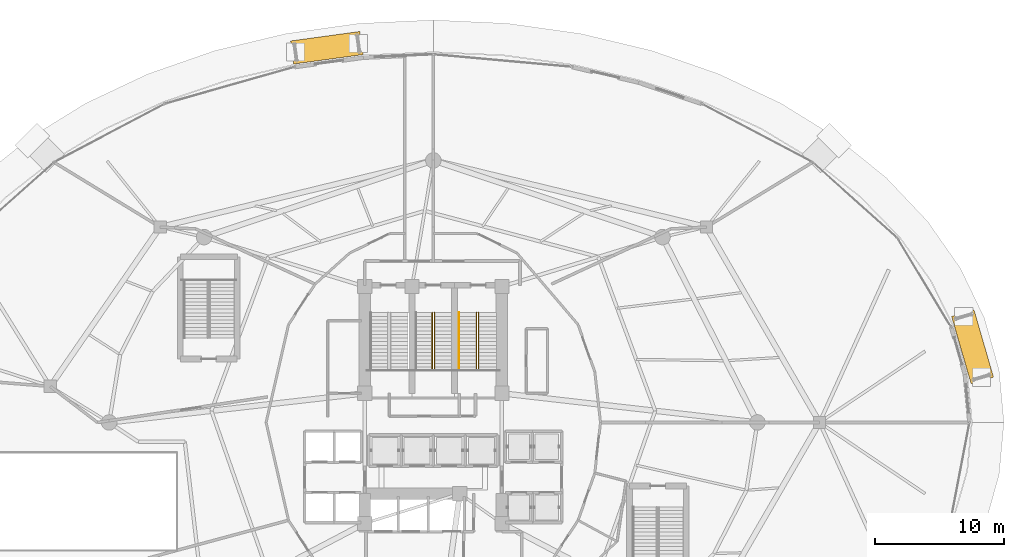
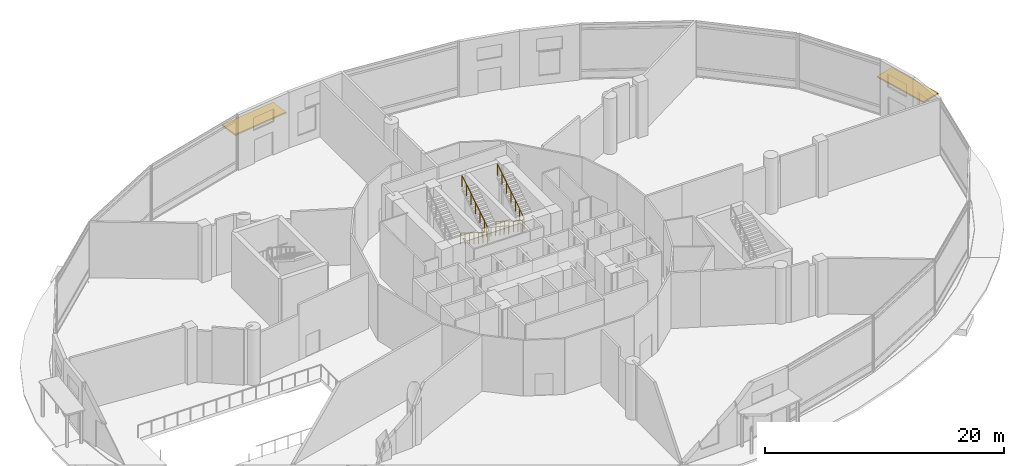
# One storey, part 39 of 40: 3 railings, 2 shading devices.
"""IFC4 building model written with IfcOpenShell, lengths in metres."""

import ifcopenshell
import ifcopenshell.guid

model = None  # the IFC model being written
_history = None  # IfcOwnerHistory: only IFC2X3 demands one
_inside = {}  # id of a spatial element -> (the spatial element, [elements in it])
_under = {}  # id of a project, library or spatial element -> (it, [spatial elements below it])
_declared = {}  # id of a project -> (the project, [libraries it declares])
_typed = {}  # id of a type object -> (the type object, [elements of that type])
_made_of = {}  # id of a material, layer set ... -> (it, [elements and type objects made of it])


def new_model(schema):
    """Start an empty IFC model of exactly this schema.

    Asked for "IFC4X3", IfcOpenShell would pick the latest addendum, in which some entities
    have other attributes; the version numbers below select the first issue.
    IFC2X3 requires an IfcOwnerHistory on every rooted entity: one is made here for all.
    """
    global model, _history
    if schema == "IFC4X3":
        model = ifcopenshell.file(schema_version=(4, 3, 0, 0))
    else:
        model = ifcopenshell.file(schema=schema)
    _inside.clear()
    _under.clear()
    _declared.clear()
    _typed.clear()
    _made_of.clear()
    _history = None
    if model.schema == "IFC2X3":
        org = make("IfcOrganization", Name="unknown")
        user = make(
            "IfcPersonAndOrganization",
            ThePerson=make("IfcPerson", FamilyName="unknown"),
            TheOrganization=org,
        )
        app = make(
            "IfcApplication",
            ApplicationDeveloper=org,
            Version="unknown",
            ApplicationFullName="unknown",
            ApplicationIdentifier="unknown",
        )
        _history = make(
            "IfcOwnerHistory",
            OwningUser=user,
            OwningApplication=app,
            ChangeAction="ADDED",
            CreationDate=0,
        )
    return model


def make(cls, **values):
    """One entity of the class cls with the attributes given. An attribute that is None is left unset."""
    return model.create_entity(
        cls, **{name: value for name, value in values.items() if value is not None}
    )


def rooted(cls, **values):
    """An entity with a GlobalId (a new one), such as an element, a storey or a relation."""
    return make(cls, GlobalId=ifcopenshell.guid.new(), OwnerHistory=_history, **values)


def si_unit(unit_type, name, prefix=None):
    """IfcSIUnit, for example si_unit("LENGTHUNIT", "METRE", prefix="MILLI")."""
    return make("IfcSIUnit", UnitType=unit_type, Prefix=prefix, Name=name)


def assignment(units):
    """IfcUnitAssignment: the units of a project."""
    return None if units is None else make("IfcUnitAssignment", Units=units)


def point(xyz):
    """IfcCartesianPoint."""
    return None if xyz is None else make("IfcCartesianPoint", Coordinates=xyz)


def direction(xyz):
    """IfcDirection."""
    return None if xyz is None else make("IfcDirection", DirectionRatios=xyz)


def frame(location, z_axis=None, x_axis=None):
    """IfcAxis2Placement3D, a coordinate frame: its origin and axes. An axis left out is left unset."""
    return make(
        "IfcAxis2Placement3D",
        Location=point(location),
        Axis=direction(z_axis),
        RefDirection=direction(x_axis),
    )


def frame_2d(location, x_axis=None):
    """IfcAxis2Placement2D, a coordinate frame in the plane: its origin and x axis."""
    return make(
        "IfcAxis2Placement2D", Location=point(location), RefDirection=direction(x_axis)
    )


def origin():
    """The frame at (0, 0, 0) with its axes left unset."""
    return frame((0.0, 0.0, 0.0))


def origin_2d():
    """The frame at (0, 0) in the plane with its x axis left unset."""
    return frame_2d((0.0, 0.0))


def place(relative_to, where):
    """IfcLocalPlacement: puts the frame where relative to a parent placement (None: the world)."""
    return make(
        "IfcLocalPlacement", PlacementRelTo=relative_to, RelativePlacement=where
    )


def context(
    kind, dimensions, precision=None, world=None, true_north=None, identifier=None
):
    """IfcGeometricRepresentationContext, for example the 3D "Model" context."""
    return make(
        "IfcGeometricRepresentationContext",
        ContextIdentifier=identifier,
        ContextType=kind,
        CoordinateSpaceDimension=dimensions,
        Precision=precision,
        WorldCoordinateSystem=world,
        TrueNorth=true_north,
    )


def subcontext(parent, identifier, kind, view, scale=None):
    """IfcGeometricRepresentationSubContext, for example "Body" below "Model"."""
    return make(
        "IfcGeometricRepresentationSubContext",
        ContextIdentifier=identifier,
        ContextType=kind,
        ParentContext=parent,
        TargetScale=scale,
        TargetView=view,
    )


def project(units=None, contexts=None):
    """IfcProject with its units and contexts."""
    return rooted(
        "IfcProject",
        Name="project",
        RepresentationContexts=contexts,
        UnitsInContext=assignment(units),
    )


def spatial(cls, under=None, at=None, **own):
    """A site, building, storey or space (cls), placed at a placement, below another one or the project."""
    s = rooted(cls, ObjectPlacement=at, **own)
    if under is not None:
        _under.setdefault(under.id(), (under, []))[1].append(s)
    return s


def polyline(points):
    """IfcPolyline through the points."""
    return make("IfcPolyline", Points=[point(p) for p in points])


def profile(cls, at=None, kind="AREA", **sizes):
    """A parametric profile (cls). Its sizes go by their IFC names, for example OverallWidth=200.0."""
    return make(cls, ProfileType=kind, Position=at, **sizes)


def rectangle(**sizes):
    """IfcRectangleProfileDef."""
    return profile("IfcRectangleProfileDef", **sizes)


def outline(outer, holes=None, kind="AREA"):
    """IfcArbitraryClosedProfileDef: a profile drawn as a closed curve; with holes, ...WithVoids."""
    if holes is None:
        return make("IfcArbitraryClosedProfileDef", ProfileType=kind, OuterCurve=outer)
    return make(
        "IfcArbitraryProfileDefWithVoids",
        ProfileType=kind,
        OuterCurve=outer,
        InnerCurves=holes,
    )


def extrude(swept, where, along, depth):
    """IfcExtrudedAreaSolid: the profile swept, set in the frame where, extruded along a direction by depth."""
    return make(
        "IfcExtrudedAreaSolid",
        SweptArea=swept,
        Position=where,
        ExtrudedDirection=direction(along),
        Depth=depth,
    )


def shape(context_of_items, identifier, shape_type, items):
    """IfcShapeRepresentation: the items that make up one representation, for example the "Body"."""
    return make(
        "IfcShapeRepresentation",
        ContextOfItems=context_of_items,
        RepresentationIdentifier=identifier,
        RepresentationType=shape_type,
        Items=items,
    )


def material(Name=None, Category=None):
    """IfcMaterial."""
    return make("IfcMaterial", Name=Name, Category=Category)


def layer(
    of_material, thickness, ventilated=None, Name=None, Category=None, Priority=None
):
    """IfcMaterialLayer: one layer of a wall or slab, of a material (None: an air gap)."""
    return make(
        "IfcMaterialLayer",
        Material=of_material,
        LayerThickness=thickness,
        IsVentilated=ventilated,
        Name=Name,
        Category=Category,
        Priority=Priority,
    )


def layer_set(layers, Name=None):
    """IfcMaterialLayerSet."""
    return make("IfcMaterialLayerSet", MaterialLayers=layers, LayerSetName=Name)


def made_of(thing, what):
    """Note that an element or type object is made of a material, layer set ...; save() writes the relation."""
    if what is not None:
        _made_of.setdefault(what.id(), (what, []))[1].append(thing)
    return thing


def type_object(cls, material=None, **own):
    """A type object (cls), such as IfcWallType, which elements share."""
    return made_of(rooted(cls, **own), material)


def element(
    cls,
    number,
    at=None,
    inside=None,
    cuts=None,
    type_object=None,
    material=None,
    context=None,
    identifier="Body",
    shape_type=None,
    held_by="IfcProductDefinitionShape",
    body=None,
    shapes=None,
    **own,
):
    """One element of the class cls, such as IfcWall. Its Tag is "e" and its number.

    at: its placement. inside: the storey or other place that contains it. cuts: it is an
    opening in that element (IfcRelVoidsElement). A single representation is given by context,
    identifier, shape_type and body (its items); several are given by shapes. held_by: the class
    of the entity that holds the representations. save() writes the other relations.
    """
    e = rooted(cls, Tag="e%d" % number, ObjectPlacement=at, **own)
    if body is not None:
        shapes = [shape(context, identifier, shape_type, body)]
    if shapes is not None:
        e.Representation = make(held_by, Representations=shapes)
    if inside is not None:
        _inside.setdefault(inside.id(), (inside, []))[1].append(e)
    if cuts is not None:
        rooted(
            "IfcRelVoidsElement", RelatingBuildingElement=cuts, RelatedOpeningElement=e
        )
    if type_object is not None:
        _typed.setdefault(type_object.id(), (type_object, []))[1].append(e)
    return made_of(e, material)


def aggregate(whole, parts):
    """IfcRelAggregates: a whole, such as a stair, and the parts it consists of."""
    return rooted("IfcRelAggregates", RelatingObject=whole, RelatedObjects=parts)


def save(model, path):
    """Write the relations noted so far, then the file.

    IfcRelAggregates (storeys below a building ...), IfcRelContainedInSpatialStructure (elements
    in a storey), IfcRelDefinesByType, IfcRelAssociatesMaterial and IfcRelDeclares: one each for
    every whole, place, type object, material and project.
    """
    for whole, parts in _under.values():
        aggregate(whole, parts)
    for where, things in _inside.values():
        rooted(
            "IfcRelContainedInSpatialStructure",
            RelatedElements=things,
            RelatingStructure=where,
        )
    for kind, things in _typed.values():
        rooted("IfcRelDefinesByType", RelatedObjects=things, RelatingType=kind)
    for what, things in _made_of.values():
        rooted("IfcRelAssociatesMaterial", RelatedObjects=things, RelatingMaterial=what)
    for by, libraries in _declared.values():
        rooted("IfcRelDeclares", RelatingContext=by, RelatedDefinitions=libraries)
    model.write(path)


model = new_model("IFC4")

# Units and contexts
model_context = context("Model", 3, precision=1e-05, world=origin(), true_north=direction((0.0, 1.0)))
body_context = subcontext(model_context, "Body", "Model", "MODEL_VIEW")
ifc_project = project(units=[si_unit("LENGTHUNIT", "METRE"), si_unit("AREAUNIT", "SQUARE_METRE"), si_unit("VOLUMEUNIT", "CUBIC_METRE"), si_unit("PLANEANGLEUNIT", "RADIAN"), si_unit("MASSUNIT", "GRAM", prefix="KILO")], contexts=[model_context])

# Site, building, storey
site_placement = place(None, origin())
site = spatial("IfcSite", under=ifc_project, at=site_placement, CompositionType="ELEMENT")
building_placement = place(site_placement, origin())
building = spatial("IfcBuilding", under=site, at=building_placement, Name="Nuhasar Tower", CompositionType="ELEMENT")
storey_placement = place(building_placement, origin())
storey = spatial("IfcBuildingStorey", under=building, at=storey_placement, Name="L00", CompositionType="ELEMENT", Elevation=0.0)

# Railings
ifc_material_1 = material(Name="Steel S355", Category="steel")
railing_type_1 = type_object("IfcRailingType", Name="RLG-STAIR-GUARD-1150", PredefinedType="GUARDRAIL", material=ifc_material_1)
railing_1_placement = place(storey_placement, frame((38.919921875, 35.284912109375, 0.176025390625)))
element("IfcRailing", 1, at=railing_1_placement, inside=storey, type_object=railing_type_1, Name="L00 Stair ST-03 Guardrail SLT", PredefinedType="GUARDRAIL", context=body_context, shape_type="SweptSolid", body=[
    extrude(outline(polyline([(0.024169921875, 0.0), (0.01708984375, 0.01708984375), (0.0, 0.024169921875), (-0.01708984375, 0.01708984375), (-0.024169921875, 0.0), (-0.01708984375, -0.01708984375), (0.0, -0.024169921875), (0.01708984375, -0.01708984375), (0.024169921875, 0.0)])), frame((0.0, 0.0, 1.1259765625), z_axis=(0.0, -0.845956345692, 0.533252155347), x_axis=(1.0, 0.0, 0.0)), (0.0, 0.0, 1.0), 5.295654296875),
    extrude(outline(polyline([(0.024169921875, 0.0), (0.01708984375, 0.01708984375), (0.0, 0.024169921875), (-0.01708984375, 0.01708984375), (-0.024169921875, 0.0), (-0.01708984375, -0.01708984375), (0.0, -0.024169921875), (0.01708984375, -0.01708984375), (0.024169921875, 0.0)])), frame((0.0, -4.47998046875, 3.94970703125), z_axis=(0.672979108571, 0.0, 0.739661489755), x_axis=(0.0, 1.0, 0.0)), (0.0, 0.0, 1.0), 0.238037109375),
    extrude(outline(polyline([(0.024169921875, 0.0), (0.01708984375, 0.01708984375), (0.0, 0.024169921875), (-0.01708984375, 0.01708984375), (-0.024169921875, 0.0), (-0.01708984375, -0.01708984375), (0.0, -0.024169921875), (0.01708984375, -0.01708984375), (0.024169921875, 0.0)])), frame((0.16015625, -4.47998046875, 4.1259765625), z_axis=(0.0, 0.845956345692, 0.533252155347), x_axis=(-1.0, 0.0, 0.0)), (0.0, 0.0, 1.0), 5.295654296875),
    extrude(outline(polyline([(0.02099609375, 0.0), (0.014892578125, 0.014892578125), (0.0, 0.02099609375), (-0.014892578125, 0.014892578125), (-0.02099609375, 0.0), (-0.014892578125, -0.014892578125), (0.0, -0.02099609375), (0.014892578125, -0.014892578125), (0.02099609375, 0.0)])), origin(), (0.0, 0.0, 1.0), 1.101806640625),
    extrude(outline(polyline([(0.02099609375, 0.0), (0.014892578125, 0.014892578125), (0.0, 0.02099609375), (-0.014892578125, 0.014892578125), (-0.02099609375, 0.0), (-0.014892578125, -0.014892578125), (0.0, -0.02099609375), (0.014892578125, -0.014892578125), (0.02099609375, 0.0)])), frame((0.0, -0.74658203125, 0.470703125)), (0.0, 0.0, 1.0), 1.101806640625),
    extrude(outline(polyline([(0.02099609375, 0.0), (0.014892578125, 0.014892578125), (0.0, 0.02099609375), (-0.014892578125, 0.014892578125), (-0.02099609375, 0.0), (-0.014892578125, -0.014892578125), (0.0, -0.02099609375), (0.014892578125, -0.014892578125), (0.02099609375, 0.0)])), frame((0.0, -1.493408203125, 0.94140625)), (0.0, 0.0, 1.0), 1.101806640625),
    extrude(outline(polyline([(0.02099609375, 0.0), (0.014892578125, 0.014892578125), (0.0, 0.02099609375), (-0.014892578125, 0.014892578125), (-0.02099609375, 0.0), (-0.014892578125, -0.014892578125), (0.0, -0.02099609375), (0.014892578125, -0.014892578125), (0.02099609375, 0.0)])), frame((0.0, -2.239990234375, 1.412109375)), (0.0, 0.0, 1.0), 1.101806640625),
    extrude(outline(polyline([(0.02099609375, 0.0), (0.014892578125, 0.014892578125), (0.0, 0.02099609375), (-0.014892578125, 0.014892578125), (-0.02099609375, 0.0), (-0.014892578125, -0.014892578125), (0.0, -0.02099609375), (0.014892578125, -0.014892578125), (0.02099609375, 0.0)])), frame((0.0, -2.986572265625, 1.882568359375)), (0.0, 0.0, 1.0), 1.101806640625),
    extrude(outline(polyline([(0.02099609375, 0.0), (0.014892578125, 0.014892578125), (0.0, 0.02099609375), (-0.014892578125, 0.014892578125), (-0.02099609375, 0.0), (-0.014892578125, -0.014892578125), (0.0, -0.02099609375), (0.014892578125, -0.014892578125), (0.02099609375, 0.0)])), frame((0.0, -3.7333984375, 2.353271484375)), (0.0, 0.0, 1.0), 1.101806640625),
    extrude(outline(polyline([(0.02099609375, 0.0), (0.014892578125, 0.014892578125), (0.0, 0.02099609375), (-0.014892578125, 0.014892578125), (-0.02099609375, 0.0), (-0.014892578125, -0.014892578125), (0.0, -0.02099609375), (0.014892578125, -0.014892578125), (0.02099609375, 0.0)])), frame((0.0, -4.47998046875, 2.823974609375)), (0.0, 0.0, 1.0), 1.101806640625),
    extrude(outline(polyline([(0.02099609375, 0.0), (0.014892578125, 0.014892578125), (0.0, 0.02099609375), (-0.014892578125, 0.014892578125), (-0.02099609375, 0.0), (-0.014892578125, -0.014892578125), (0.0, -0.02099609375), (0.014892578125, -0.014892578125), (0.02099609375, 0.0)])), frame((0.16015625, -4.47998046875, 3.0)), (0.0, 0.0, 1.0), 1.101806640625),
    extrude(outline(polyline([(0.02099609375, 0.0), (0.014892578125, 0.014892578125), (0.0, 0.02099609375), (-0.014892578125, 0.014892578125), (-0.02099609375, 0.0), (-0.014892578125, -0.014892578125), (0.0, -0.02099609375), (0.014892578125, -0.014892578125), (0.02099609375, 0.0)])), frame((0.16015625, -3.7333984375, 3.470703125)), (0.0, 0.0, 1.0), 1.101806640625),
    extrude(outline(polyline([(0.02099609375, 0.0), (0.014892578125, 0.014892578125), (0.0, 0.02099609375), (-0.014892578125, 0.014892578125), (-0.02099609375, 0.0), (-0.014892578125, -0.014892578125), (0.0, -0.02099609375), (0.014892578125, -0.014892578125), (0.02099609375, 0.0)])), frame((0.16015625, -2.986572265625, 3.94140625)), (0.0, 0.0, 1.0), 1.101806640625),
    extrude(outline(polyline([(0.02099609375, 0.0), (0.014892578125, 0.014892578125), (0.0, 0.02099609375), (-0.014892578125, 0.014892578125), (-0.02099609375, 0.0), (-0.014892578125, -0.014892578125), (0.0, -0.02099609375), (0.014892578125, -0.014892578125), (0.02099609375, 0.0)])), frame((0.16015625, -2.239990234375, 4.412109375)), (0.0, 0.0, 1.0), 1.101806640625),
    extrude(outline(polyline([(0.02099609375, 0.0), (0.014892578125, 0.014892578125), (0.0, 0.02099609375), (-0.014892578125, 0.014892578125), (-0.02099609375, 0.0), (-0.014892578125, -0.014892578125), (0.0, -0.02099609375), (0.014892578125, -0.014892578125), (0.02099609375, 0.0)])), frame((0.16015625, -1.493408203125, 4.882568359375)), (0.0, 0.0, 1.0), 1.101806640625),
    extrude(outline(polyline([(0.02099609375, 0.0), (0.014892578125, 0.014892578125), (0.0, 0.02099609375), (-0.014892578125, 0.014892578125), (-0.02099609375, 0.0), (-0.014892578125, -0.014892578125), (0.0, -0.02099609375), (0.014892578125, -0.014892578125), (0.02099609375, 0.0)])), frame((0.16015625, -0.74658203125, 5.353271484375)), (0.0, 0.0, 1.0), 1.101806640625),
    extrude(outline(polyline([(0.02099609375, 0.0), (0.014892578125, 0.014892578125), (0.0, 0.02099609375), (-0.014892578125, 0.014892578125), (-0.02099609375, 0.0), (-0.014892578125, -0.014892578125), (0.0, -0.02099609375), (0.014892578125, -0.014892578125), (0.02099609375, 0.0)])), frame((0.16015625, 0.0, 5.823974609375)), (0.0, 0.0, 1.0), 1.101806640625),
])
railing_2_placement = place(storey_placement, frame((42.330078125, 35.284912109375, 0.176025390625)))
element("IfcRailing", 2, at=railing_2_placement, inside=storey, type_object=railing_type_1, Name="L00 Stair ST-02 Guardrail SLT", PredefinedType="GUARDRAIL", context=body_context, shape_type="SweptSolid", body=[
    extrude(outline(polyline([(0.024169921875, 0.0), (0.01708984375, 0.01708984375), (0.0, 0.024169921875), (-0.01708984375, 0.01708984375), (-0.024169921875, 0.0), (-0.01708984375, -0.01708984375), (0.0, -0.024169921875), (0.01708984375, -0.01708984375), (0.024169921875, 0.0)])), frame((0.0, 0.0, 1.1259765625), z_axis=(0.0, -0.845956345692, 0.533252155347), x_axis=(1.0, 0.0, 0.0)), (0.0, 0.0, 1.0), 5.295654296875),
    extrude(outline(polyline([(0.024169921875, 0.0), (0.01708984375, 0.01708984375), (0.0, 0.024169921875), (-0.01708984375, 0.01708984375), (-0.024169921875, 0.0), (-0.01708984375, -0.01708984375), (0.0, -0.024169921875), (0.01708984375, -0.01708984375), (0.024169921875, 0.0)])), frame((0.0, -4.47998046875, 3.94970703125), z_axis=(0.672417267389, 0.0, 0.740172289752), x_axis=(0.0, 1.0, 0.0)), (0.0, 0.0, 1.0), 0.23779296875),
    extrude(outline(polyline([(0.024169921875, 0.0), (0.01708984375, 0.01708984375), (0.0, 0.024169921875), (-0.01708984375, 0.01708984375), (-0.024169921875, 0.0), (-0.01708984375, -0.01708984375), (0.0, -0.024169921875), (0.01708984375, -0.01708984375), (0.024169921875, 0.0)])), frame((0.159912109375, -4.47998046875, 4.1259765625), z_axis=(0.0, 0.845956345692, 0.533252155347), x_axis=(-1.0, 0.0, 0.0)), (0.0, 0.0, 1.0), 5.295654296875),
    extrude(outline(polyline([(0.02099609375, 0.0), (0.014892578125, 0.014892578125), (0.0, 0.02099609375), (-0.014892578125, 0.014892578125), (-0.02099609375, 0.0), (-0.014892578125, -0.014892578125), (0.0, -0.02099609375), (0.014892578125, -0.014892578125), (0.02099609375, 0.0)])), origin(), (0.0, 0.0, 1.0), 1.101806640625),
    extrude(outline(polyline([(0.02099609375, 0.0), (0.014892578125, 0.014892578125), (0.0, 0.02099609375), (-0.014892578125, 0.014892578125), (-0.02099609375, 0.0), (-0.014892578125, -0.014892578125), (0.0, -0.02099609375), (0.014892578125, -0.014892578125), (0.02099609375, 0.0)])), frame((0.0, -0.74658203125, 0.470703125)), (0.0, 0.0, 1.0), 1.101806640625),
    extrude(outline(polyline([(0.02099609375, 0.0), (0.014892578125, 0.014892578125), (0.0, 0.02099609375), (-0.014892578125, 0.014892578125), (-0.02099609375, 0.0), (-0.014892578125, -0.014892578125), (0.0, -0.02099609375), (0.014892578125, -0.014892578125), (0.02099609375, 0.0)])), frame((0.0, -1.493408203125, 0.94140625)), (0.0, 0.0, 1.0), 1.101806640625),
    extrude(outline(polyline([(0.02099609375, 0.0), (0.014892578125, 0.014892578125), (0.0, 0.02099609375), (-0.014892578125, 0.014892578125), (-0.02099609375, 0.0), (-0.014892578125, -0.014892578125), (0.0, -0.02099609375), (0.014892578125, -0.014892578125), (0.02099609375, 0.0)])), frame((0.0, -2.239990234375, 1.412109375)), (0.0, 0.0, 1.0), 1.101806640625),
    extrude(outline(polyline([(0.02099609375, 0.0), (0.014892578125, 0.014892578125), (0.0, 0.02099609375), (-0.014892578125, 0.014892578125), (-0.02099609375, 0.0), (-0.014892578125, -0.014892578125), (0.0, -0.02099609375), (0.014892578125, -0.014892578125), (0.02099609375, 0.0)])), frame((0.0, -2.986572265625, 1.882568359375)), (0.0, 0.0, 1.0), 1.101806640625),
    extrude(outline(polyline([(0.02099609375, 0.0), (0.014892578125, 0.014892578125), (0.0, 0.02099609375), (-0.014892578125, 0.014892578125), (-0.02099609375, 0.0), (-0.014892578125, -0.014892578125), (0.0, -0.02099609375), (0.014892578125, -0.014892578125), (0.02099609375, 0.0)])), frame((0.0, -3.7333984375, 2.353271484375)), (0.0, 0.0, 1.0), 1.101806640625),
    extrude(outline(polyline([(0.02099609375, 0.0), (0.014892578125, 0.014892578125), (0.0, 0.02099609375), (-0.014892578125, 0.014892578125), (-0.02099609375, 0.0), (-0.014892578125, -0.014892578125), (0.0, -0.02099609375), (0.014892578125, -0.014892578125), (0.02099609375, 0.0)])), frame((0.0, -4.47998046875, 2.823974609375)), (0.0, 0.0, 1.0), 1.101806640625),
    extrude(outline(polyline([(0.02099609375, 0.0), (0.014892578125, 0.014892578125), (0.0, 0.02099609375), (-0.014892578125, 0.014892578125), (-0.02099609375, 0.0), (-0.014892578125, -0.014892578125), (0.0, -0.02099609375), (0.014892578125, -0.014892578125), (0.02099609375, 0.0)])), frame((0.159912109375, -4.47998046875, 3.0)), (0.0, 0.0, 1.0), 1.101806640625),
    extrude(outline(polyline([(0.02099609375, 0.0), (0.014892578125, 0.014892578125), (0.0, 0.02099609375), (-0.014892578125, 0.014892578125), (-0.02099609375, 0.0), (-0.014892578125, -0.014892578125), (0.0, -0.02099609375), (0.014892578125, -0.014892578125), (0.02099609375, 0.0)])), frame((0.159912109375, -3.7333984375, 3.470703125)), (0.0, 0.0, 1.0), 1.101806640625),
    extrude(outline(polyline([(0.02099609375, 0.0), (0.014892578125, 0.014892578125), (0.0, 0.02099609375), (-0.014892578125, 0.014892578125), (-0.02099609375, 0.0), (-0.014892578125, -0.014892578125), (0.0, -0.02099609375), (0.014892578125, -0.014892578125), (0.02099609375, 0.0)])), frame((0.159912109375, -2.986572265625, 3.94140625)), (0.0, 0.0, 1.0), 1.101806640625),
    extrude(outline(polyline([(0.02099609375, 0.0), (0.014892578125, 0.014892578125), (0.0, 0.02099609375), (-0.014892578125, 0.014892578125), (-0.02099609375, 0.0), (-0.014892578125, -0.014892578125), (0.0, -0.02099609375), (0.014892578125, -0.014892578125), (0.02099609375, 0.0)])), frame((0.159912109375, -2.239990234375, 4.412109375)), (0.0, 0.0, 1.0), 1.101806640625),
    extrude(outline(polyline([(0.02099609375, 0.0), (0.014892578125, 0.014892578125), (0.0, 0.02099609375), (-0.014892578125, 0.014892578125), (-0.02099609375, 0.0), (-0.014892578125, -0.014892578125), (0.0, -0.02099609375), (0.014892578125, -0.014892578125), (0.02099609375, 0.0)])), frame((0.159912109375, -1.493408203125, 4.882568359375)), (0.0, 0.0, 1.0), 1.101806640625),
    extrude(outline(polyline([(0.02099609375, 0.0), (0.014892578125, 0.014892578125), (0.0, 0.02099609375), (-0.014892578125, 0.014892578125), (-0.02099609375, 0.0), (-0.014892578125, -0.014892578125), (0.0, -0.02099609375), (0.014892578125, -0.014892578125), (0.02099609375, 0.0)])), frame((0.159912109375, -0.74658203125, 5.353271484375)), (0.0, 0.0, 1.0), 1.101806640625),
    extrude(outline(polyline([(0.02099609375, 0.0), (0.014892578125, 0.014892578125), (0.0, 0.02099609375), (-0.014892578125, 0.014892578125), (-0.02099609375, 0.0), (-0.014892578125, -0.014892578125), (0.0, -0.02099609375), (0.014892578125, -0.014892578125), (0.02099609375, 0.0)])), frame((0.159912109375, 0.0, 5.823974609375)), (0.0, 0.0, 1.0), 1.101806640625),
])
ifc_material_2 = material(Name="Stainless Steel 316L", Category="steel")
railing_type_2 = type_object("IfcRailingType", Name="RLG-STAIR-HAND-920", PredefinedType="HANDRAIL", material=ifc_material_2)
railing_3_placement = place(storey_placement, frame((40.989990234375, 35.284912109375, 0.176025390625)))
element("IfcRailing", 3, at=railing_3_placement, inside=storey, type_object=railing_type_2, Name="L00 Stair ST-02 Handrail HND1", PredefinedType="HANDRAIL", context=body_context, shape_type="SweptSolid", body=[
    extrude(outline(polyline([(0.024169921875, 0.0), (0.01708984375, 0.01708984375), (0.0, 0.024169921875), (-0.01708984375, 0.01708984375), (-0.024169921875, 0.0), (-0.01708984375, -0.01708984375), (0.0, -0.024169921875), (0.01708984375, -0.01708984375), (0.024169921875, 0.0)])), frame((0.0, 0.0, 0.89599609375), z_axis=(0.0, -0.830906055479, 0.556412730775), x_axis=(1.0, 0.0, 0.0)), (0.0, 0.0, 1.0), 5.3916015625),
    extrude(outline(polyline([(0.02099609375, 0.0), (0.014892578125, 0.014892578125), (0.0, 0.02099609375), (-0.014892578125, 0.014892578125), (-0.02099609375, 0.0), (-0.014892578125, -0.014892578125), (0.0, -0.02099609375), (0.014892578125, -0.014892578125), (0.02099609375, 0.0)])), origin(), (0.0, 0.0, 1.0), 0.871826171875),
    extrude(outline(polyline([(0.02099609375, 0.0), (0.014892578125, 0.014892578125), (0.0, 0.02099609375), (-0.014892578125, 0.014892578125), (-0.02099609375, 0.0), (-0.014892578125, -0.014892578125), (0.0, -0.02099609375), (0.014892578125, -0.014892578125), (0.02099609375, 0.0)])), frame((0.0, -0.74658203125, 0.5)), (0.0, 0.0, 1.0), 0.871826171875),
    extrude(outline(polyline([(0.02099609375, 0.0), (0.014892578125, 0.014892578125), (0.0, 0.02099609375), (-0.014892578125, 0.014892578125), (-0.02099609375, 0.0), (-0.014892578125, -0.014892578125), (0.0, -0.02099609375), (0.014892578125, -0.014892578125), (0.02099609375, 0.0)])), frame((0.0, -1.493408203125, 1.0)), (0.0, 0.0, 1.0), 0.871826171875),
    extrude(outline(polyline([(0.02099609375, 0.0), (0.014892578125, 0.014892578125), (0.0, 0.02099609375), (-0.014892578125, 0.014892578125), (-0.02099609375, 0.0), (-0.014892578125, -0.014892578125), (0.0, -0.02099609375), (0.014892578125, -0.014892578125), (0.02099609375, 0.0)])), frame((0.0, -2.239990234375, 1.5)), (0.0, 0.0, 1.0), 0.871826171875),
    extrude(outline(polyline([(0.02099609375, 0.0), (0.014892578125, 0.014892578125), (0.0, 0.02099609375), (-0.014892578125, 0.014892578125), (-0.02099609375, 0.0), (-0.014892578125, -0.014892578125), (0.0, -0.02099609375), (0.014892578125, -0.014892578125), (0.02099609375, 0.0)])), frame((0.0, -2.986572265625, 2.0)), (0.0, 0.0, 1.0), 0.871826171875),
    extrude(outline(polyline([(0.02099609375, 0.0), (0.014892578125, 0.014892578125), (0.0, 0.02099609375), (-0.014892578125, 0.014892578125), (-0.02099609375, 0.0), (-0.014892578125, -0.014892578125), (0.0, -0.02099609375), (0.014892578125, -0.014892578125), (0.02099609375, 0.0)])), frame((0.0, -3.7333984375, 2.5)), (0.0, 0.0, 1.0), 0.871826171875),
    extrude(outline(polyline([(0.02099609375, 0.0), (0.014892578125, 0.014892578125), (0.0, 0.02099609375), (-0.014892578125, 0.014892578125), (-0.02099609375, 0.0), (-0.014892578125, -0.014892578125), (0.0, -0.02099609375), (0.014892578125, -0.014892578125), (0.02099609375, 0.0)])), frame((0.0, -4.47998046875, 3.0)), (0.0, 0.0, 1.0), 0.871826171875),
])

# Shading devices
ifc_material_3 = material(Name="Aluminium 6063-T6", Category="aluminium")
ifc_layer = layer(ifc_material_3, 0.139892578125)
ifc_layer_set = layer_set([ifc_layer], Name="Aluminium 6063-T6")
shading_device_type = type_object("IfcShadingDeviceType", Name="SHD-CANOPY-450", PredefinedType="AWNING", material=ifc_layer_set)
for number, where, z_axis, x_axis, name in (
    (4, (80.6708984375, 32.64599609375, 3.35400390625), (0.0, 0.0, 1.0), (0.960473650028, 0.278370917305, 0.0), "L00 Entrance Bronze Sun Canopy East"),
    (5, (30.77099609375, 55.75390625, 3.35400390625), (0.0, 0.0, 1.0), (-0.135265971368, 0.990809324234, 0.0), "L00 Entrance Bronze Sun Canopy North"),
):
    element("IfcShadingDevice", number, at=place(storey_placement, frame(where, z_axis=z_axis, x_axis=x_axis)), inside=storey, type_object=shading_device_type, Name=name, PredefinedType="AWNING", context=body_context, shape_type="SweptSolid", body=[
        extrude(rectangle(XDim=1.800048828125, YDim=5.39990234375, at=origin_2d()), origin(), (0.0, 0.0, 1.0), 0.139892578125),
    ])

save(model, "model.ifc")
